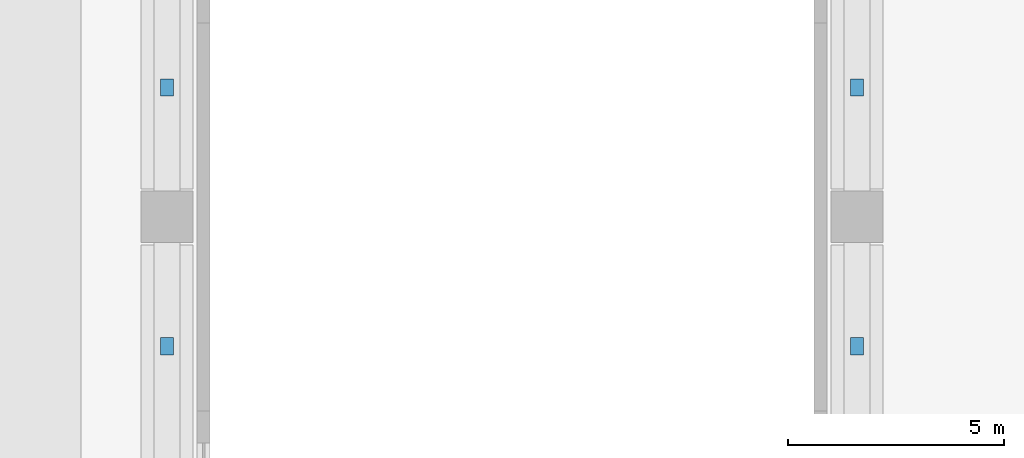
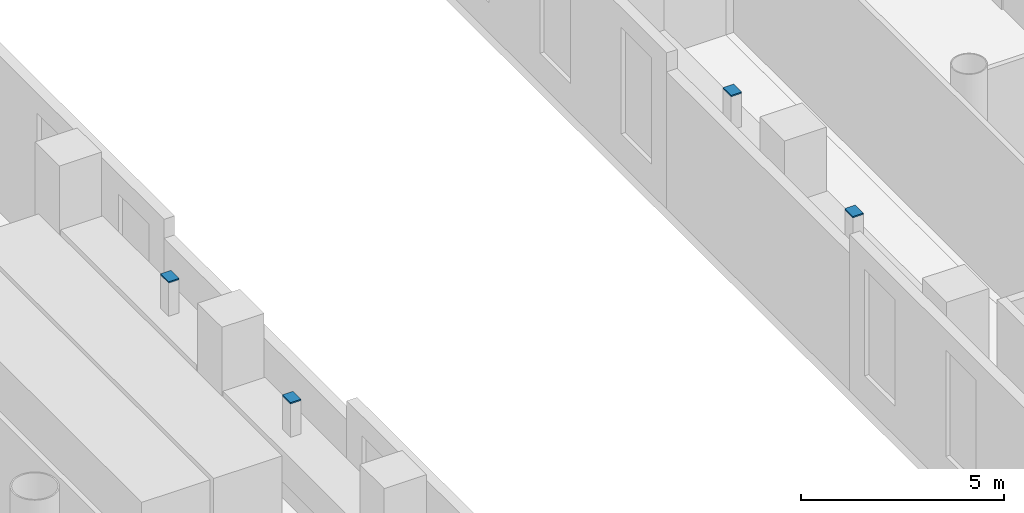
# One storey, part 22 of 26: 4 discrete accessories.
"""IFC4 building model written with IfcOpenShell, lengths in metres."""

from ifc_helpers import new_model, si_unit, direction, frame, origin, origin_2d, place, context, subcontext, project, spatial, rectangle, extrude, material, type_object, element, save


model = new_model("IFC4")

# Units and contexts
model_context = context("Model", 3, precision=1e-05, world=origin(), true_north=direction((0.0, 1.0)))
body_context = subcontext(model_context, "Body", "Model", "MODEL_VIEW")
ifc_project = project(units=[si_unit("LENGTHUNIT", "METRE"), si_unit("AREAUNIT", "SQUARE_METRE"), si_unit("VOLUMEUNIT", "CUBIC_METRE"), si_unit("PLANEANGLEUNIT", "RADIAN"), si_unit("MASSUNIT", "GRAM", prefix="KILO")], contexts=[model_context])

# Site, building, storey
site_placement = place(None, origin())
site = spatial("IfcSite", under=ifc_project, at=site_placement, CompositionType="ELEMENT")
building_placement = place(site_placement, origin())
building = spatial("IfcBuilding", under=site, at=building_placement, Name="Ostroluk Exchange", CompositionType="ELEMENT")
storey_placement = place(building_placement, frame((0.0, 0.0, 6.0)))
storey = spatial("IfcBuildingStorey", under=building, at=storey_placement, Name="L01", CompositionType="ELEMENT", Elevation=6.0)

# Discrete accessories
ifc_material_1 = material(Name="Steel-laminated elastomer", Category="steel")
discrete_accessory_type_1 = type_object("IfcDiscreteAccessoryType", Name="BRF fixed bearing 300 x 400 x 40", PredefinedType="USERDEFINED", material=ifc_material_1)
for number, where, z_axis, x_axis, name in (
    (1, (77.0, 43.0, 4.10986328125), (0.0, 0.0, 1.0), (1.0, 0.0, 0.0), "BR1 S pinned bearing W"),
    (2, (77.0, 49.0, 4.10986328125), (0.0, 0.0, 1.0), (1.0, 0.0, 0.0), "BR1 N pinned bearing W"),
):
    element("IfcDiscreteAccessory", number, at=place(storey_placement, frame(where, z_axis=z_axis, x_axis=x_axis)), inside=storey, type_object=discrete_accessory_type_1, Name=name, ObjectType="PINNED BEARING", PredefinedType="USERDEFINED", context=body_context, shape_type="SweptSolid", body=[
        extrude(rectangle(XDim=0.300048828125, YDim=0.39990234375, at=origin_2d()), origin(), (0.0, 0.0, 1.0), 0.0400390625),
    ])
ifc_material_2 = material(Name="Steel-laminated elastomer with PTFE sliding face", Category="steel")
discrete_accessory_type_2 = type_object("IfcDiscreteAccessoryType", Name="BRS sliding bearing 300 x 400 x 40", PredefinedType="USERDEFINED", material=ifc_material_2)
for number, where, z_axis, x_axis, name in (
    (3, (93.0, 43.0, 4.10986328125), (0.0, 0.0, 1.0), (1.0, 0.0, 0.0), "BR1 S sliding bearing E"),
    (4, (93.0, 49.0, 4.10986328125), (0.0, 0.0, 1.0), (1.0, 0.0, 0.0), "BR1 N sliding bearing E"),
):
    element("IfcDiscreteAccessory", number, at=place(storey_placement, frame(where, z_axis=z_axis, x_axis=x_axis)), inside=storey, type_object=discrete_accessory_type_2, Name=name, ObjectType="SLIDING BEARING", PredefinedType="USERDEFINED", context=body_context, shape_type="SweptSolid", body=[
        extrude(rectangle(XDim=0.300048828125, YDim=0.39990234375, at=origin_2d()), origin(), (0.0, 0.0, 1.0), 0.0400390625),
    ])

save(model, "model.ifc")
